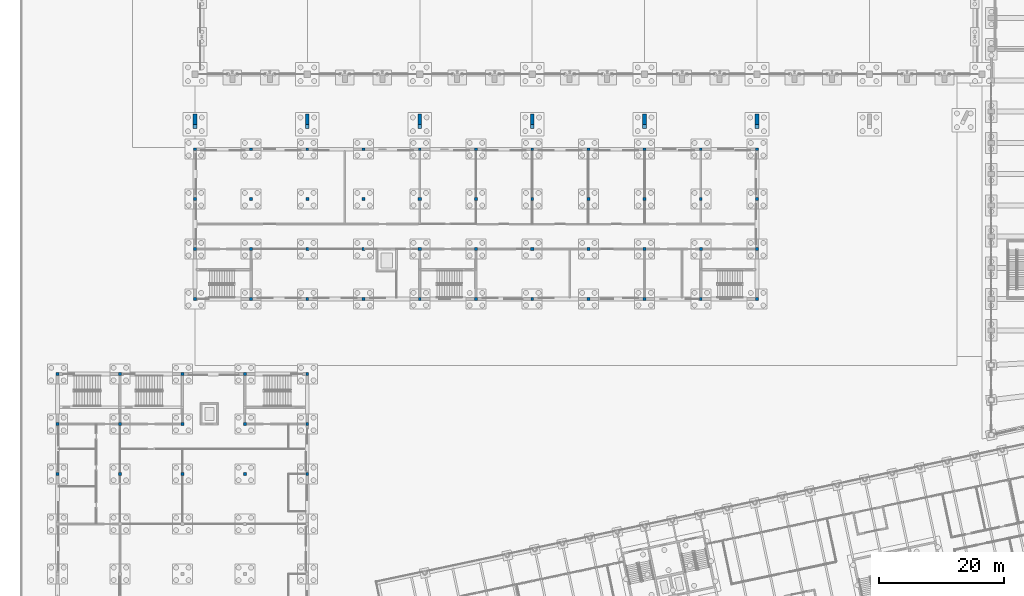
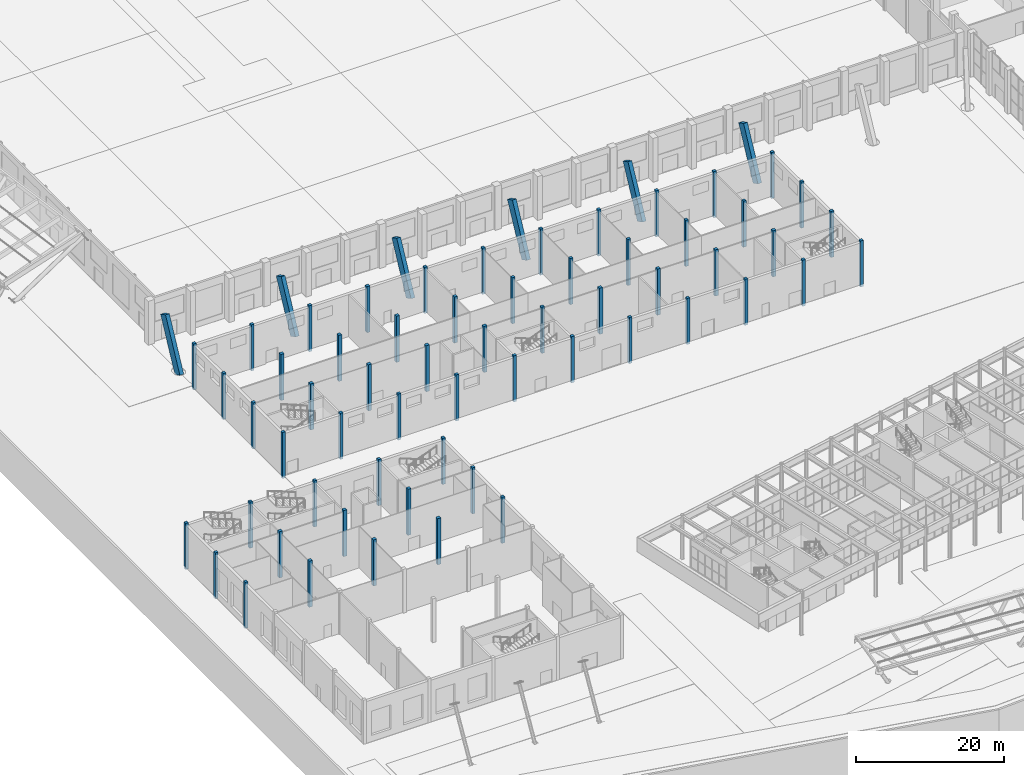
# One storey, part 17 of 239: 65 columns.
"""IFC4 building model written with IfcOpenShell, lengths in metres."""

from ifc_helpers import new_model, si_unit, direction, frame, origin, origin_2d, place, context, subcontext, project, spatial, rectangle, extrude, material, material_profile, profile_set, type_object, element, save


model = new_model("IFC4")

# Units and contexts
model_context = context("Model", 3, precision=1e-05, world=origin(), true_north=direction((0.0, 1.0)))
body_context = subcontext(model_context, "Body", "Model", "MODEL_VIEW")
ifc_project = project(units=[si_unit("LENGTHUNIT", "METRE"), si_unit("AREAUNIT", "SQUARE_METRE"), si_unit("VOLUMEUNIT", "CUBIC_METRE"), si_unit("PLANEANGLEUNIT", "RADIAN"), si_unit("MASSUNIT", "GRAM", prefix="KILO")], contexts=[model_context])

# Site, building, storey
site_placement = place(None, origin())
site = spatial("IfcSite", under=ifc_project, at=site_placement, CompositionType="ELEMENT")
building_placement = place(site_placement, origin())
building = spatial("IfcBuilding", under=site, at=building_placement, Name="Okhra Congress Centre", CompositionType="ELEMENT")
storey_placement = place(building_placement, origin())
storey = spatial("IfcBuildingStorey", under=building, at=storey_placement, Name="L00", CompositionType="ELEMENT", Elevation=0.0)

# Columns
ifc_material = material(Name="Concrete C35/45", Category="concrete")
ifc_material_profile_1 = material_profile(ifc_material, rectangle(XDim=0.449951171875, YDim=0.449951171875, at=origin_2d()), Name="RC 450x450")
ifc_profile_set_1 = profile_set([ifc_material_profile_1], Name="Concrete C35/45")
column_type_1 = type_object("IfcColumnType", Name="RC column 450x450 C35/45", PredefinedType="COLUMN", material=ifc_profile_set_1)
for number, where, z_axis, x_axis, name in (
    (1, (28.0, 96.0, -0.39990234375), (0.0, 0.0, 1.0), (1.0, 0.0, 0.0), "SV.COL.L00.1"),
    (2, (28.0, 104.0, -0.39990234375), (0.0, 0.0, 1.0), (1.0, 0.0, 0.0), "SV.COL.L00.2"),
    (3, (28.0, 112.0, -0.39990234375), (0.0, 0.0, 1.0), (1.0, 0.0, 0.0), "SV.COL.L00.3"),
    (4, (28.0, 120.0, -0.39990234375), (0.0, 0.0, 1.0), (1.0, 0.0, 0.0), "SV.COL.L00.4"),
    (5, (37.0, 96.0, -0.39990234375), (0.0, 0.0, 1.0), (1.0, 0.0, 0.0), "SV.COL.L00.5"),
    (6, (37.0, 120.0, -0.39990234375), (0.0, 0.0, 1.0), (1.0, 0.0, 0.0), "SV.COL.L00.8"),
    (7, (46.0, 96.0, -0.39990234375), (0.0, 0.0, 1.0), (1.0, 0.0, 0.0), "SV.COL.L00.9"),
    (8, (46.0, 120.0, -0.39990234375), (0.0, 0.0, 1.0), (1.0, 0.0, 0.0), "SV.COL.L00.12"),
    (9, (55.0, 96.0, -0.39990234375), (0.0, 0.0, 1.0), (1.0, 0.0, 0.0), "SV.COL.L00.13"),
    (10, (55.0, 120.0, -0.39990234375), (0.0, 0.0, 1.0), (1.0, 0.0, 0.0), "SV.COL.L00.16"),
    (11, (64.0, 96.0, -0.39990234375), (0.0, 0.0, 1.0), (1.0, 0.0, 0.0), "SV.COL.L00.17"),
    (12, (64.0, 120.0, -0.39990234375), (0.0, 0.0, 1.0), (1.0, 0.0, 0.0), "SV.COL.L00.20"),
    (13, (73.0, 96.0, -0.39990234375), (0.0, 0.0, 1.0), (1.0, 0.0, 0.0), "SV.COL.L00.21"),
    (14, (73.0, 104.0, -0.39990234375), (0.0, 0.0, 1.0), (1.0, 0.0, 0.0), "SV.COL.L00.22"),
    (15, (73.0, 112.0, -0.39990234375), (0.0, 0.0, 1.0), (1.0, 0.0, 0.0), "SV.COL.L00.23"),
    (16, (73.0, 120.0, -0.39990234375), (0.0, 0.0, 1.0), (1.0, 0.0, 0.0), "SV.COL.L00.24"),
    (17, (82.0, 96.0, -0.39990234375), (0.0, 0.0, 1.0), (1.0, 0.0, 0.0), "SV.COL.L00.25"),
    (18, (82.0, 112.0, -0.39990234375), (0.0, 0.0, 1.0), (1.0, 0.0, 0.0), "SV.COL.L00.27"),
    (19, (82.0, 120.0, -0.39990234375), (0.0, 0.0, 1.0), (1.0, 0.0, 0.0), "SV.COL.L00.28"),
    (20, (91.0, 96.0, -0.39990234375), (0.0, 0.0, 1.0), (1.0, 0.0, 0.0), "SV.COL.L00.29"),
    (21, (91.0, 112.0, -0.39990234375), (0.0, 0.0, 1.0), (1.0, 0.0, 0.0), "SV.COL.L00.31"),
    (22, (91.0, 120.0, -0.39990234375), (0.0, 0.0, 1.0), (1.0, 0.0, 0.0), "SV.COL.L00.32"),
    (23, (100.0, 96.0, -0.39990234375), (0.0, 0.0, 1.0), (1.0, 0.0, 0.0), "SV.COL.L00.33"),
    (24, (100.0, 112.0, -0.39990234375), (0.0, 0.0, 1.0), (1.0, 0.0, 0.0), "SV.COL.L00.35"),
    (25, (100.0, 120.0, -0.39990234375), (0.0, 0.0, 1.0), (1.0, 0.0, 0.0), "SV.COL.L00.36"),
    (26, (109.0, 96.0, -0.39990234375), (0.0, 0.0, 1.0), (1.0, 0.0, 0.0), "SV.COL.L00.37"),
    (27, (109.0, 112.0, -0.39990234375), (0.0, 0.0, 1.0), (1.0, 0.0, 0.0), "SV.COL.L00.39"),
    (28, (109.0, 120.0, -0.39990234375), (0.0, 0.0, 1.0), (1.0, 0.0, 0.0), "SV.COL.L00.40"),
    (29, (118.0, 96.0, -0.39990234375), (0.0, 0.0, 1.0), (1.0, 0.0, 0.0), "SV.COL.L00.41"),
    (30, (118.0, 104.0, -0.39990234375), (0.0, 0.0, 1.0), (1.0, 0.0, 0.0), "SV.COL.L00.42"),
    (31, (118.0, 112.0, -0.39990234375), (0.0, 0.0, 1.0), (1.0, 0.0, 0.0), "SV.COL.L00.43"),
    (32, (118.0, 120.0, -0.39990234375), (0.0, 0.0, 1.0), (1.0, 0.0, 0.0), "SV.COL.L00.44"),
    (33, (6.0, 68.0, -0.39990234375), (0.0, 0.0, 1.0), (1.0, 0.0, 0.0), "RS.COL.L00.5"),
    (34, (6.0, 76.0, -0.39990234375), (0.0, 0.0, 1.0), (1.0, 0.0, 0.0), "RS.COL.L00.6"),
    (35, (6.0, 84.0, -0.39990234375), (0.0, 0.0, 1.0), (1.0, 0.0, 0.0), "RS.COL.L00.7"),
    (36, (16.0, 84.0, -0.39990234375), (0.0, 0.0, 1.0), (1.0, 0.0, 0.0), "RS.COL.L00.14"),
    (37, (26.0, 84.0, -0.39990234375), (0.0, 0.0, 1.0), (1.0, 0.0, 0.0), "RS.COL.L00.21"),
    (38, (36.0, 84.0, -0.39990234375), (0.0, 0.0, 1.0), (1.0, 0.0, 0.0), "RS.COL.L00.28"),
    (39, (46.0, 68.0, -0.39990234375), (0.0, 0.0, 1.0), (1.0, 0.0, 0.0), "RS.COL.L00.33"),
    (40, (46.0, 76.0, -0.39990234375), (0.0, 0.0, 1.0), (1.0, 0.0, 0.0), "RS.COL.L00.34"),
    (41, (46.0, 84.0, -0.39990234375), (0.0, 0.0, 1.0), (1.0, 0.0, 0.0), "RS.COL.L00.35"),
):
    element("IfcColumn", number, at=place(storey_placement, frame(where, z_axis=z_axis, x_axis=x_axis)), inside=storey, type_object=column_type_1, Name=name, PredefinedType="COLUMN", context=body_context, shape_type="SweptSolid", body=[
        extrude(rectangle(XDim=0.449951171875, YDim=0.449951171875, at=origin_2d()), origin(), (0.0, 0.0, 1.0), 7.599853515625),
    ])
ifc_material_profile_2 = material_profile(ifc_material, rectangle(XDim=0.5, YDim=0.5, at=origin_2d()), Name="RC 500x500")
ifc_profile_set_2 = profile_set([ifc_material_profile_2], Name="Concrete C35/45")
column_type_2 = type_object("IfcColumnType", Name="RC column 500x500 C35/45", PredefinedType="COLUMN", material=ifc_profile_set_2)
for number, where, z_axis, x_axis, name in (
    (42, (37.0, 104.0, -0.39990234375), (0.0, 0.0, 1.0), (1.0, 0.0, 0.0), "SV.COL.L00.6"),
    (43, (37.0, 112.0, -0.39990234375), (0.0, 0.0, 1.0), (1.0, 0.0, 0.0), "SV.COL.L00.7"),
    (44, (46.0, 104.0, -0.39990234375), (0.0, 0.0, 1.0), (1.0, 0.0, 0.0), "SV.COL.L00.10"),
    (45, (46.0, 112.0, -0.39990234375), (0.0, 0.0, 1.0), (1.0, 0.0, 0.0), "SV.COL.L00.11"),
    (46, (55.0, 104.0, -0.39990234375), (0.0, 0.0, 1.0), (1.0, 0.0, 0.0), "SV.COL.L00.14"),
    (47, (55.0, 112.0, -0.39990234375), (0.0, 0.0, 1.0), (1.0, 0.0, 0.0), "SV.COL.L00.15"),
    (48, (64.0, 104.0, -0.39990234375), (0.0, 0.0, 1.0), (1.0, 0.0, 0.0), "SV.COL.L00.18"),
    (49, (64.0, 112.0, -0.39990234375), (0.0, 0.0, 1.0), (1.0, 0.0, 0.0), "SV.COL.L00.19"),
    (50, (82.0, 104.0, -0.39990234375), (0.0, 0.0, 1.0), (1.0, 0.0, 0.0), "SV.COL.L00.26"),
    (51, (91.0, 104.0, -0.39990234375), (0.0, 0.0, 1.0), (1.0, 0.0, 0.0), "SV.COL.L00.30"),
    (52, (100.0, 104.0, -0.39990234375), (0.0, 0.0, 1.0), (1.0, 0.0, 0.0), "SV.COL.L00.34"),
    (53, (109.0, 104.0, -0.39990234375), (0.0, 0.0, 1.0), (1.0, 0.0, 0.0), "SV.COL.L00.38"),
    (54, (16.0, 68.0, -0.39990234375), (0.0, 0.0, 1.0), (1.0, 0.0, 0.0), "RS.COL.L00.12"),
    (55, (16.0, 76.0, -0.39990234375), (0.0, 0.0, 1.0), (1.0, 0.0, 0.0), "RS.COL.L00.13"),
    (56, (26.0, 68.0, -0.39990234375), (0.0, 0.0, 1.0), (1.0, 0.0, 0.0), "RS.COL.L00.19"),
    (57, (26.0, 76.0, -0.39990234375), (0.0, 0.0, 1.0), (1.0, 0.0, 0.0), "RS.COL.L00.20"),
    (58, (36.0, 68.0, -0.39990234375), (0.0, 0.0, 1.0), (1.0, 0.0, 0.0), "RS.COL.L00.26"),
    (59, (36.0, 76.0, -0.39990234375), (0.0, 0.0, 1.0), (1.0, 0.0, 0.0), "RS.COL.L00.27"),
):
    element("IfcColumn", number, at=place(storey_placement, frame(where, z_axis=z_axis, x_axis=x_axis)), inside=storey, type_object=column_type_2, Name=name, PredefinedType="COLUMN", context=body_context, shape_type="SweptSolid", body=[
        extrude(rectangle(XDim=0.5, YDim=0.5, at=origin_2d()), origin(), (0.0, 0.0, 1.0), 7.599853515625),
    ])
ifc_material_profile_3 = material_profile(ifc_material, rectangle(XDim=0.60009765625, YDim=1.5, at=origin_2d()), Name="RC 600x1500")
ifc_profile_set_3 = profile_set([ifc_material_profile_3], Name="Concrete C35/45")
column_type_3 = type_object("IfcColumnType", Name="Raking buttress pier RC 600x1500 C35/45", PredefinedType="COLUMN", material=ifc_profile_set_3)
for number, where, z_axis, x_axis, name in (
    (60, (28.0, 123.9833984375, -0.39990234375), (0.0, 0.454012820329, 0.890995150928), (-1.0, 0.0, 0.0), "Buttress pier 1"),
    (61, (46.0, 123.9833984375, -0.39990234375), (0.0, 0.454012820329, 0.890995150928), (-1.0, 0.0, 0.0), "Buttress pier 2"),
    (62, (64.0, 123.9833984375, -0.39990234375), (0.0, 0.454012820329, 0.890995150928), (-1.0, 0.0, 0.0), "Buttress pier 3"),
    (63, (82.0, 123.9833984375, -0.39990234375), (0.0, 0.454012820329, 0.890995150928), (-1.0, 0.0, 0.0), "Buttress pier 4"),
    (64, (100.0, 123.9833984375, -0.39990234375), (0.0, 0.454012820329, 0.890995150928), (-1.0, 0.0, 0.0), "Buttress pier 5"),
    (65, (118.0, 123.9833984375, -0.39990234375), (0.0, 0.454012820329, 0.890995150928), (-1.0, 0.0, 0.0), "Buttress pier 6"),
):
    element("IfcColumn", number, at=place(storey_placement, frame(where, z_axis=z_axis, x_axis=x_axis)), inside=storey, type_object=column_type_3, Name=name, PredefinedType="COLUMN", context=body_context, shape_type="SweptSolid", body=[
        extrude(rectangle(XDim=0.60009765625, YDim=1.5, at=origin_2d()), origin(), (0.0, 0.0, 1.0), 8.529541015625),
    ])

save(model, "model.ifc")
